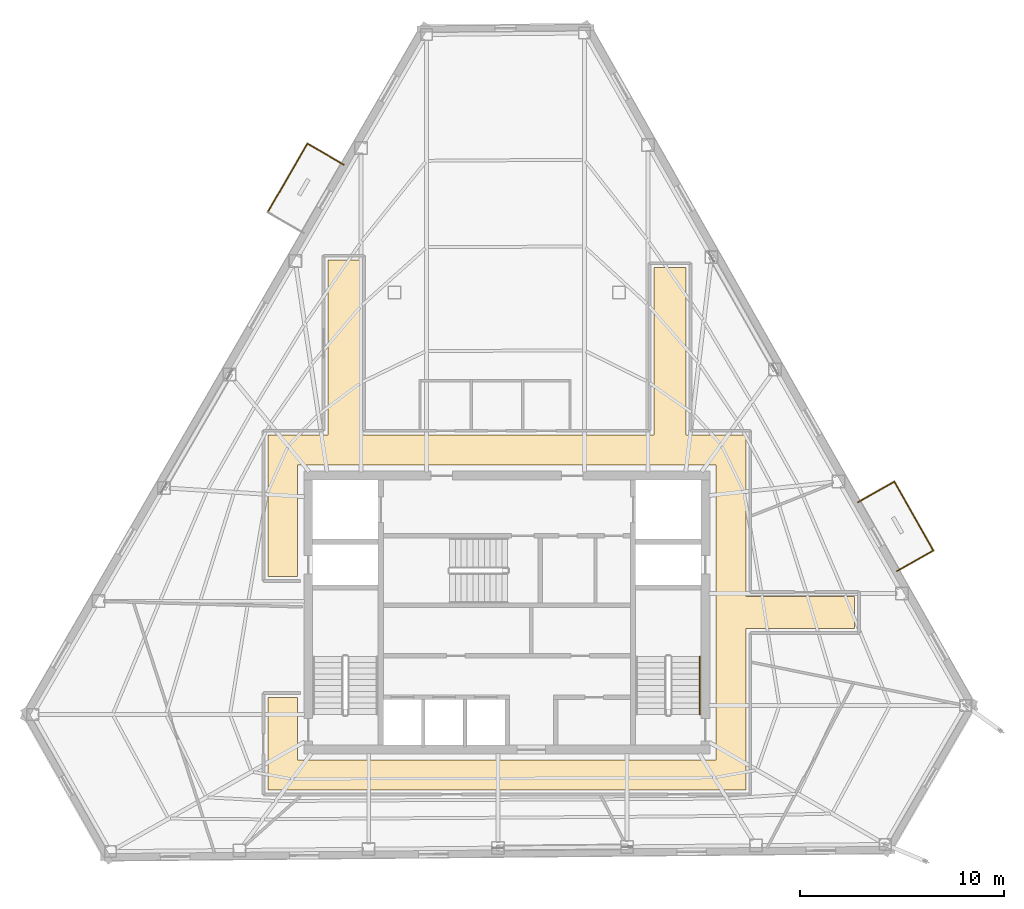
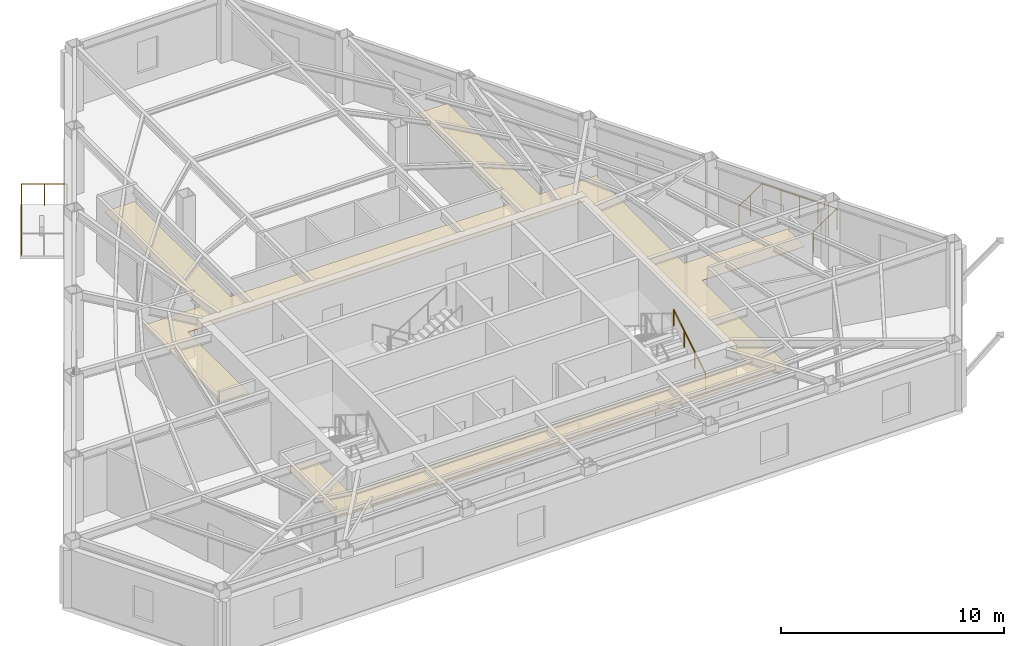
# One storey, part 10 of 10: 6 railings, 1 covering.
"""IFC4 building model written with IfcOpenShell, lengths in metres."""

from ifc_helpers import new_model, si_unit, direction, frame, origin, origin_2d, place, context, subcontext, project, spatial, polyline, circle, outline, extrude, material, layer, layer_set, type_object, element, save


model = new_model("IFC4")

# Units and contexts
model_context = context("Model", 3, precision=1e-05, world=origin(), true_north=direction((0.0, 1.0)))
body_context = subcontext(model_context, "Body", "Model", "MODEL_VIEW")
ifc_project = project(units=[si_unit("LENGTHUNIT", "METRE"), si_unit("AREAUNIT", "SQUARE_METRE"), si_unit("VOLUMEUNIT", "CUBIC_METRE"), si_unit("PLANEANGLEUNIT", "RADIAN"), si_unit("MASSUNIT", "GRAM", prefix="KILO")], contexts=[model_context])

# Site, building, storey
site_placement = place(None, origin())
site = spatial("IfcSite", under=ifc_project, at=site_placement, CompositionType="ELEMENT")
building_placement = place(site_placement, origin())
building = spatial("IfcBuilding", under=site, at=building_placement, Name="Kavelnor Concourse Tower", CompositionType="ELEMENT")
storey_placement = place(building_placement, frame((0.0, 0.0, 222.75)))
storey = spatial("IfcBuildingStorey", under=building, at=storey_placement, Name="L56", CompositionType="ELEMENT", Elevation=222.75)

# Covering
ifc_material_1 = material(Name="Mineral fibre acoustic ceiling tile")
ifc_layer = layer(ifc_material_1, 0.0400390625, Name="Mineral fibre acoustic ceiling tile")
ifc_layer_set = layer_set([ifc_layer], Name="Mineral fibre acoustic ceiling tile")
covering_type = type_object("IfcCoveringType", Name="COV-CEILING-ACOUSTIC", PredefinedType="CEILING", material=ifc_layer_set)
covering_placement = place(storey_placement, frame((0.0, 0.0, 2.75)))
element("IfcCovering", 1, at=covering_placement, inside=storey, type_object=covering_type, Name="L56 Suspended Acoustic Ceiling", PredefinedType="CEILING", context=body_context, shape_type="SweptSolid", body=[
    extrude(outline(polyline([(29.219970703125, 24.800048828125), (29.219970703125, 33.383056640625), (30.780029296875, 33.383056640625), (30.780029296875, 24.800048828125), (45.219970703125, 24.800048828125), (45.219970703125, 33.015625), (46.780029296875, 33.015625), (46.780029296875, 24.800048828125), (49.719970703125, 24.800048828125), (49.719970703125, 16.8798828125), (55.0595703125, 16.8798828125), (55.0595703125, 15.320068359375), (49.719970703125, 15.320068359375), (49.719970703125, 7.39990234375), (26.280029296875, 7.39990234375), (26.280029296875, 11.929931640625), (27.739990234375, 11.929931640625), (27.739990234375, 8.860107421875), (48.260009765625, 8.860107421875), (48.260009765625, 23.340087890625), (27.739990234375, 23.340087890625), (27.739990234375, 17.8701171875), (26.280029296875, 17.8701171875), (26.280029296875, 24.800048828125), (29.219970703125, 24.800048828125)])), origin(), (0.0, 0.0, 1.0), 0.0400390625),
])

# Railings
ifc_material_2 = material(Name="Steel Grade 350", Category="steel")
railing_type_1 = type_object("IfcRailingType", Name="RLG-HANDRAIL-900", PredefinedType="HANDRAIL", material=ifc_material_2)
railing_1_placement = place(storey_placement, frame((47.469970703125, 11.10009765625, 0.175048828125)))
element("IfcRailing", 2, at=railing_1_placement, inside=storey, type_object=railing_type_1, Name="L56 ST2 stair handrail 1", PredefinedType="HANDRAIL", context=body_context, shape_type="SweptSolid", body=[
    extrude(circle(Radius=0.02392578125, at=origin_2d()), frame((0.0, 0.0, 0.8759765625), z_axis=(0.0, 0.852159232446, 0.523282564737), x_axis=(-1.0, 0.0, 0.0)), (0.0, 0.0, 1.0), 3.34423828125),
    extrude(circle(Radius=0.02099609375, at=origin_2d()), origin(), (0.0, 0.0, 1.0), 0.851806640625),
    extrude(circle(Radius=0.02099609375, at=origin_2d()), frame((0.0, 0.949951171875, 0.583251953125)), (0.0, 0.0, 1.0), 0.851806640625),
    extrude(circle(Radius=0.02099609375, at=origin_2d()), frame((0.0, 1.89990234375, 1.166748046875)), (0.0, 0.0, 1.0), 0.851806640625),
    extrude(circle(Radius=0.02099609375, at=origin_2d()), frame((0.0, 2.849853515625, 1.75)), (0.0, 0.0, 1.0), 0.851806640625),
])
ifc_material_3 = material(Name="Architectural bronze-anodised aluminium", Category="aluminium")
railing_type_2 = type_object("IfcRailingType", Name="RLG-TERRACE-1200", PredefinedType="BALUSTRADE", material=ifc_material_3)
railing_2_placement = place(storey_placement, frame((57.13232421875, 18.137939453125, 0.0)))
element("IfcRailing", 3, at=railing_2_placement, inside=storey, type_object=railing_type_2, Name="L56 Tree Balcony 1 Guardrail L", PredefinedType="BALUSTRADE", context=body_context, shape_type="SweptSolid", body=[
    extrude(circle(Radius=0.02392578125, at=origin_2d()), frame((0.0, 0.0, 1.17578125), z_axis=(0.869945553703, 0.493147780682, 0.0), x_axis=(-0.493147780682, 0.869945553703, 0.0)), (0.0, 0.0, 1.0), 2.050048828125),
    extrude(circle(Radius=0.02099609375, at=origin_2d()), origin(), (0.0, 0.0, 1.0), 1.15185546875),
    extrude(circle(Radius=0.02099609375, at=origin_2d()), frame((0.8916015625, 0.50537109375, 0.0)), (0.0, 0.0, 1.0), 1.15185546875),
    extrude(circle(Radius=0.02099609375, at=origin_2d()), frame((1.783447265625, 1.010986328125, 0.0)), (0.0, 0.0, 1.0), 1.15185546875),
])
railing_3_placement = place(storey_placement, frame((58.915771484375, 19.14892578125, 0.0)))
element("IfcRailing", 4, at=railing_3_placement, inside=storey, type_object=railing_type_2, Name="L56 Tree Balcony 1 Guardrail F", PredefinedType="BALUSTRADE", context=body_context, shape_type="SweptSolid", body=[
    extrude(circle(Radius=0.02392578125, at=origin_2d()), frame((0.0, 0.0, 1.17578125), z_axis=(-0.493072901682, 0.869987996255, 0.0), x_axis=(-0.869987996255, -0.493072901682, 0.0)), (0.0, 0.0, 1.0), 3.8798828125),
    extrude(circle(Radius=0.02099609375, at=origin_2d()), origin(), (0.0, 0.0, 1.0), 1.15185546875),
    extrude(circle(Radius=0.02099609375, at=origin_2d()), frame((-0.478271484375, 0.84375, 0.0)), (0.0, 0.0, 1.0), 1.15185546875),
    extrude(circle(Radius=0.02099609375, at=origin_2d()), frame((-0.95654296875, 1.687744140625, 0.0)), (0.0, 0.0, 1.0), 1.15185546875),
    extrude(circle(Radius=0.02099609375, at=origin_2d()), frame((-1.434814453125, 2.53173828125, 0.0)), (0.0, 0.0, 1.0), 1.15185546875),
    extrude(circle(Radius=0.02099609375, at=origin_2d()), frame((-1.9130859375, 3.37548828125, 0.0)), (0.0, 0.0, 1.0), 1.15185546875),
])
railing_4_placement = place(storey_placement, frame((57.002685546875, 22.5244140625, 0.0)))
element("IfcRailing", 5, at=railing_4_placement, inside=storey, type_object=railing_type_2, Name="L56 Tree Balcony 1 Guardrail R", PredefinedType="BALUSTRADE", context=body_context, shape_type="SweptSolid", body=[
    extrude(circle(Radius=0.02392578125, at=origin_2d()), frame((0.0, 0.0, 1.17578125), z_axis=(-0.869974511034, -0.493096694524, 0.0), x_axis=(0.493096694524, -0.869974511034, 0.0)), (0.0, 0.0, 1.0), 2.05029296875),
    extrude(circle(Radius=0.02099609375, at=origin_2d()), origin(), (0.0, 0.0, 1.0), 1.15185546875),
    extrude(circle(Radius=0.02099609375, at=origin_2d()), frame((-0.891845703125, -0.50537109375, 0.0)), (0.0, 0.0, 1.0), 1.15185546875),
    extrude(circle(Radius=0.02099609375, at=origin_2d()), frame((-1.78369140625, -1.010986328125, 0.0)), (0.0, 0.0, 1.0), 1.15185546875),
])
railing_5_placement = place(storey_placement, frame((29.9951171875, 38.07421875, 0.0)))
element("IfcRailing", 6, at=railing_5_placement, inside=storey, type_object=railing_type_2, Name="L56 Tree Balcony 2 Guardrail L", PredefinedType="BALUSTRADE", context=body_context, shape_type="SweptSolid", body=[
    extrude(circle(Radius=0.02392578125, at=origin_2d()), frame((0.0, 0.0, 1.17578125), z_axis=(-0.865407257922, 0.501069134886, 0.0), x_axis=(-0.501069134886, -0.865407257922, 0.0)), (0.0, 0.0, 1.0), 2.0498046875),
    extrude(circle(Radius=0.02099609375, at=origin_2d()), origin(), (0.0, 0.0, 1.0), 1.15185546875),
    extrude(circle(Radius=0.02099609375, at=origin_2d()), frame((-0.886962890625, 0.513671875, 0.0)), (0.0, 0.0, 1.0), 1.15185546875),
    extrude(circle(Radius=0.02099609375, at=origin_2d()), frame((-1.77392578125, 1.027099609375, 0.0)), (0.0, 0.0, 1.0), 1.15185546875),
])
railing_6_placement = place(storey_placement, frame((28.22119140625, 39.101318359375, 0.0)))
element("IfcRailing", 7, at=railing_6_placement, inside=storey, type_object=railing_type_2, Name="L56 Tree Balcony 2 Guardrail F", PredefinedType="BALUSTRADE", context=body_context, shape_type="SweptSolid", body=[
    extrude(circle(Radius=0.02392578125, at=origin_2d()), frame((0.0, 0.0, 1.17578125), z_axis=(-0.501118120313, -0.865378893604, 0.0), x_axis=(0.865378893604, -0.501118120313, 0.0)), (0.0, 0.0, 1.0), 3.8798828125),
    extrude(circle(Radius=0.02099609375, at=origin_2d()), origin(), (0.0, 0.0, 1.0), 1.15185546875),
    extrude(circle(Radius=0.02099609375, at=origin_2d()), frame((-0.486083984375, -0.83935546875, 0.0)), (0.0, 0.0, 1.0), 1.15185546875),
    extrude(circle(Radius=0.02099609375, at=origin_2d()), frame((-0.97216796875, -1.6787109375, 0.0)), (0.0, 0.0, 1.0), 1.15185546875),
    extrude(circle(Radius=0.02099609375, at=origin_2d()), frame((-1.458251953125, -2.518310546875, 0.0)), (0.0, 0.0, 1.0), 1.15185546875),
    extrude(circle(Radius=0.02099609375, at=origin_2d()), frame((-1.9443359375, -3.357666015625, 0.0)), (0.0, 0.0, 1.0), 1.15185546875),
])

save(model, "model.ifc")
